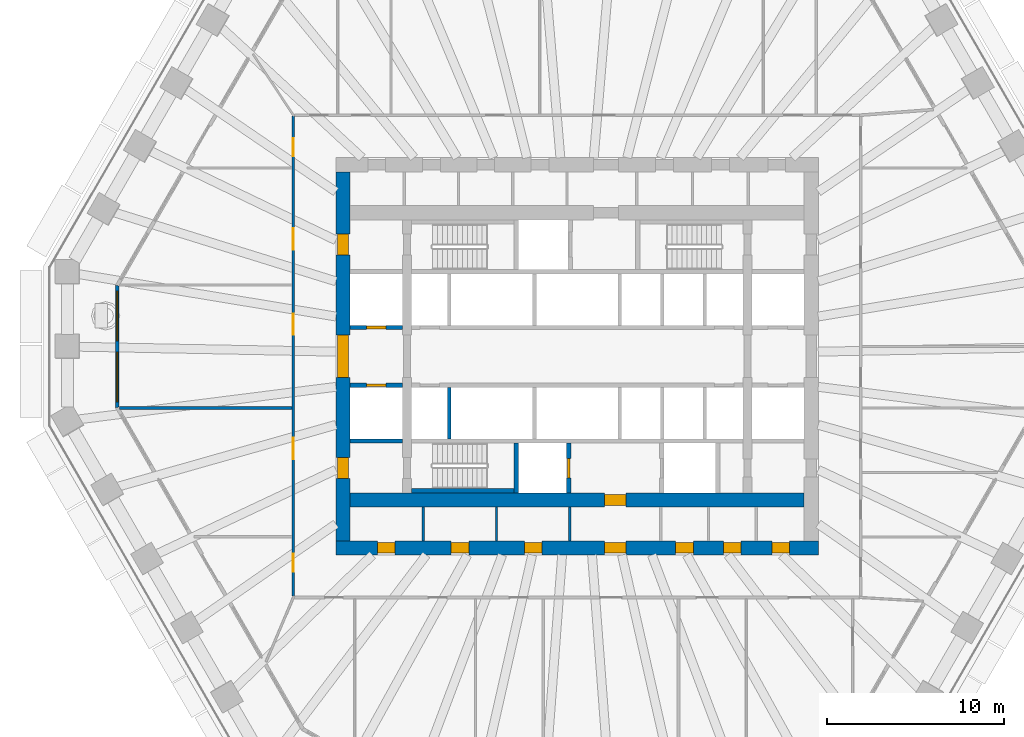
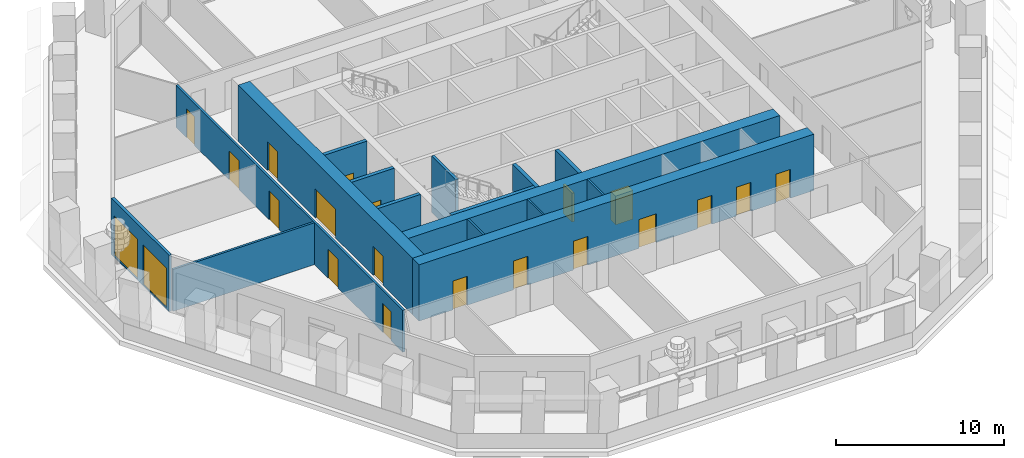
# One storey, part 4 of 13: 19 doors, 16 walls, 2 windows, 21 openings.
"""IFC4 building model written with IfcOpenShell, lengths in metres."""

from ifc_helpers import new_model, si_unit, direction, frame, frame_2d, origin, place, context, subcontext, project, spatial, polyline, rectangle, outline, extrude, material, layer, layer_set, type_object, element, fill, save


model = new_model("IFC4")

# Units and contexts
model_context = context("Model", 3, precision=1e-05, world=origin(), true_north=direction((0.0, 1.0)))
body_context = subcontext(model_context, "Body", "Model", "MODEL_VIEW")
ifc_project = project(units=[si_unit("LENGTHUNIT", "METRE"), si_unit("AREAUNIT", "SQUARE_METRE"), si_unit("VOLUMEUNIT", "CUBIC_METRE"), si_unit("PLANEANGLEUNIT", "RADIAN"), si_unit("MASSUNIT", "GRAM", prefix="KILO")], contexts=[model_context])

# Site, building, storey
site_placement = place(None, origin())
site = spatial("IfcSite", under=ifc_project, at=site_placement, CompositionType="ELEMENT")
building_placement = place(site_placement, origin())
building = spatial("IfcBuilding", under=site, at=building_placement, Name="Frailejon Research Tower", CompositionType="ELEMENT")
storey_placement = place(building_placement, frame((0.0, 0.0, 98.39990234375)))
storey = spatial("IfcBuildingStorey", under=building, at=storey_placement, Name="L21", CompositionType="ELEMENT", Elevation=98.39990234375)

# Walls
ifc_material_1 = material(Name="Plasterboard on steel studs", Category="steel")
ifc_layer_1 = layer(ifc_material_1, 0.125)
ifc_layer_set_1 = layer_set([ifc_layer_1], Name="Core partition 125")
wall_type_1 = type_object("IfcWallType", Name="Core partition 125", PredefinedType="PARTITIONING", material=ifc_layer_set_1)
for number, where, z_axis, x_axis, name in (
    (1, (-8.6708984375, -10.39990234375, 0.0), (0.0, 0.0, 1.0), (0.0, 1.0, 0.0), "Core partition"),
    (2, (-4.541748046875, -10.39990234375, 0.0), (0.0, 0.0, 1.0), (0.0, 1.0, 0.0), "Core partition"),
    (3, (-0.41259765625, -10.39990234375, 0.0), (0.0, 0.0, 1.0), (0.0, 1.0, 0.0), "Core partition"),
):
    element("IfcWall", number, at=place(storey_placement, frame(where, z_axis=z_axis, x_axis=x_axis)), inside=storey, type_object=wall_type_1, Name=name, PredefinedType="PARTITIONING", context=body_context, shape_type="SweptSolid", body=[
        extrude(rectangle(XDim=1.89990234375, YDim=0.125, at=frame_2d((0.949951171875, 0.0))), origin(), (0.0, 0.0, 1.0), 4.10009765625),
    ])

# Wall, openings, doors
ifc_material_2 = material(Name="Concrete C70/85", Category="concrete")
ifc_layer_2 = layer(ifc_material_2, 0.800048828125)
ifc_layer_set_2 = layer_set([ifc_layer_2], Name="Core shear wall 800 C70/85")
wall_type_2 = type_object("IfcWallType", Name="Core shear wall 800 C70/85", PredefinedType="SHEAR", material=ifc_layer_set_2)
wall_1_placement = place(storey_placement, frame((-13.60009765625, -10.800048828125, 0.0), z_axis=(0.0, 0.0, 1.0), x_axis=(1.0, 0.0, 0.0)))
wall_1 = element("IfcWall", 4, at=wall_1_placement, inside=storey, type_object=wall_type_2, Name="Core shear wall", PredefinedType="SHEAR", context=body_context, shape_type="SweptSolid", body=[
    extrude(rectangle(XDim=27.2001953125, YDim=0.800048828125, at=frame_2d((13.60009765625, 0.0))), origin(), (0.0, 0.0, 1.0), 4.10009765625),
])
opening_1_placement = place(wall_1_placement, frame((2.333251953125, 0.0, 0.0)))
opening_1 = element("IfcOpeningElement", 5, at=opening_1_placement, cuts=wall_1, Name="Opening D4", PredefinedType="OPENING", context=body_context, shape_type="SweptSolid", body=[
    extrude(rectangle(XDim=1.0, YDim=2.10009765625, at=frame_2d((0.5, 1.050048828125))), frame((0.0, 0.409912109375, 0.0), z_axis=(0.0, -1.0, 0.0), x_axis=(1.0, 0.0, 0.0)), (0.0, 0.0, 1.0), 0.820068359375),
])
opening_2_placement = place(wall_1_placement, frame((6.493896484375, 0.0, 0.0)))
opening_2 = element("IfcOpeningElement", 6, at=opening_2_placement, cuts=wall_1, Name="Opening D4", PredefinedType="OPENING", context=body_context, shape_type="SweptSolid", body=[
    extrude(rectangle(XDim=1.0, YDim=2.10009765625, at=frame_2d((0.5, 1.050048828125))), frame((0.0, 0.409912109375, 0.0), z_axis=(0.0, -1.0, 0.0), x_axis=(1.0, 0.0, 0.0)), (0.0, 0.0, 1.0), 0.820068359375),
])
opening_3_placement = place(wall_1_placement, frame((10.622802734375, 0.0, 0.0)))
opening_3 = element("IfcOpeningElement", 7, at=opening_3_placement, cuts=wall_1, Name="Opening D4", PredefinedType="OPENING", context=body_context, shape_type="SweptSolid", body=[
    extrude(rectangle(XDim=1.0, YDim=2.10009765625, at=frame_2d((0.5, 1.050048828125))), frame((0.0, 0.409912109375, 0.0), z_axis=(0.0, -1.0, 0.0), x_axis=(1.0, 0.0, 0.0)), (0.0, 0.0, 1.0), 0.820068359375),
])
opening_4_placement = place(wall_1_placement, frame((19.160400390625, 0.0, 0.0)))
opening_4 = element("IfcOpeningElement", 8, at=opening_4_placement, cuts=wall_1, Name="Opening D4", PredefinedType="OPENING", context=body_context, shape_type="SweptSolid", body=[
    extrude(rectangle(XDim=1.0, YDim=2.10009765625, at=frame_2d((0.5, 1.050048828125))), frame((0.0, 0.409912109375, 0.0), z_axis=(0.0, -1.0, 0.0), x_axis=(1.0, 0.0, 0.0)), (0.0, 0.0, 1.0), 0.820068359375),
])
opening_5_placement = place(wall_1_placement, frame((21.856201171875, 0.0, 0.0)))
opening_5 = element("IfcOpeningElement", 9, at=opening_5_placement, cuts=wall_1, Name="Opening D4", PredefinedType="OPENING", context=body_context, shape_type="SweptSolid", body=[
    extrude(rectangle(XDim=1.0, YDim=2.10009765625, at=frame_2d((0.5, 1.050048828125))), frame((0.0, 0.409912109375, 0.0), z_axis=(0.0, -1.0, 0.0), x_axis=(1.0, 0.0, 0.0)), (0.0, 0.0, 1.0), 0.820068359375),
])
opening_6_placement = place(wall_1_placement, frame((24.583251953125, 0.0, 0.0)))
opening_6 = element("IfcOpeningElement", 10, at=opening_6_placement, cuts=wall_1, Name="Opening D4", PredefinedType="OPENING", context=body_context, shape_type="SweptSolid", body=[
    extrude(rectangle(XDim=1.0, YDim=2.10009765625, at=frame_2d((0.5, 1.050048828125))), frame((0.0, 0.409912109375, 0.0), z_axis=(0.0, -1.0, 0.0), x_axis=(1.0, 0.0, 0.0)), (0.0, 0.0, 1.0), 0.820068359375),
])
opening_7_placement = place(wall_1_placement, frame((15.14990234375, 0.0, 0.0)))
opening_7 = element("IfcOpeningElement", 11, at=opening_7_placement, cuts=wall_1, Name="Opening D3", PredefinedType="OPENING", context=body_context, shape_type="SweptSolid", body=[
    extrude(rectangle(XDim=1.199951171875, YDim=2.10009765625, at=frame_2d((0.60009765625, 1.050048828125))), frame((0.0, 0.409912109375, 0.0), z_axis=(0.0, -1.0, 0.0), x_axis=(1.0, 0.0, 0.0)), (0.0, 0.0, 1.0), 0.820068359375),
])
ifc_material_3 = material(Name="Steel", Category="steel")
door_type_1 = type_object("IfcDoorType", Name="Firefighting lobby door", OperationType="SINGLE_SWING_LEFT", PredefinedType="DOOR", material=ifc_material_3)
door_1_placement = place(opening_7_placement, origin())
door_1 = element("IfcDoor", 12, at=door_1_placement, inside=storey, type_object=door_type_1, Name="Passage door", OperationType="SINGLE_SWING_RIGHT", OverallHeight=2.10009765625, OverallWidth=1.199951171875, PredefinedType="DOOR", context=body_context, shape_type="SweptSolid", body=[
    extrude(rectangle(XDim=1.199951171875, YDim=2.10009765625, at=frame_2d((0.60009765625, 1.050048828125))), frame((0.0, 0.300048828125, 0.0), z_axis=(0.0, -1.0, 0.0), x_axis=(1.0, 0.0, 0.0)), (0.0, 0.0, 1.0), 0.60009765625),
])
fill(opening_7, door_1)
ifc_material_4 = material(Name="Steel", Category="steel")
door_type_2 = type_object("IfcDoorType", Name="Service door", OperationType="SINGLE_SWING_LEFT", PredefinedType="DOOR", material=ifc_material_4)
door_2_placement = place(opening_1_placement, origin())
door_2 = element("IfcDoor", 13, at=door_2_placement, inside=storey, type_object=door_type_2, Name="Room door", OperationType="SINGLE_SWING_RIGHT", OverallHeight=2.10009765625, OverallWidth=1.0, PredefinedType="DOOR", context=body_context, shape_type="SweptSolid", body=[
    extrude(rectangle(XDim=1.0, YDim=2.10009765625, at=frame_2d((0.5, 1.050048828125))), frame((0.0, 0.300048828125, 0.0), z_axis=(0.0, -1.0, 0.0), x_axis=(1.0, 0.0, 0.0)), (0.0, 0.0, 1.0), 0.60009765625),
])
fill(opening_1, door_2)
door_3_placement = place(opening_2_placement, origin())
door_3 = element("IfcDoor", 14, at=door_3_placement, inside=storey, type_object=door_type_2, Name="Room door", OperationType="SINGLE_SWING_LEFT", OverallHeight=2.10009765625, OverallWidth=1.0, PredefinedType="DOOR", context=body_context, shape_type="SweptSolid", body=[
    extrude(rectangle(XDim=1.0, YDim=2.10009765625, at=frame_2d((0.5, 1.050048828125))), frame((0.0, 0.300048828125, 0.0), z_axis=(0.0, -1.0, 0.0), x_axis=(1.0, 0.0, 0.0)), (0.0, 0.0, 1.0), 0.60009765625),
])
fill(opening_2, door_3)
door_4_placement = place(opening_3_placement, origin())
door_4 = element("IfcDoor", 15, at=door_4_placement, inside=storey, type_object=door_type_2, Name="Room door", OperationType="SINGLE_SWING_RIGHT", OverallHeight=2.10009765625, OverallWidth=1.0, PredefinedType="DOOR", context=body_context, shape_type="SweptSolid", body=[
    extrude(rectangle(XDim=1.0, YDim=2.10009765625, at=frame_2d((0.5, 1.050048828125))), frame((0.0, 0.300048828125, 0.0), z_axis=(0.0, -1.0, 0.0), x_axis=(1.0, 0.0, 0.0)), (0.0, 0.0, 1.0), 0.60009765625),
])
fill(opening_3, door_4)
door_5_placement = place(opening_4_placement, origin())
door_5 = element("IfcDoor", 16, at=door_5_placement, inside=storey, type_object=door_type_2, Name="Room door", OperationType="SINGLE_SWING_LEFT", OverallHeight=2.10009765625, OverallWidth=1.0, PredefinedType="DOOR", context=body_context, shape_type="SweptSolid", body=[
    extrude(rectangle(XDim=1.0, YDim=2.10009765625, at=frame_2d((0.5, 1.050048828125))), frame((0.0, 0.300048828125, 0.0), z_axis=(0.0, -1.0, 0.0), x_axis=(1.0, 0.0, 0.0)), (0.0, 0.0, 1.0), 0.60009765625),
])
fill(opening_4, door_5)
door_6_placement = place(opening_5_placement, origin())
door_6 = element("IfcDoor", 17, at=door_6_placement, inside=storey, type_object=door_type_2, Name="Room door", OperationType="SINGLE_SWING_RIGHT", OverallHeight=2.10009765625, OverallWidth=1.0, PredefinedType="DOOR", context=body_context, shape_type="SweptSolid", body=[
    extrude(rectangle(XDim=1.0, YDim=2.10009765625, at=frame_2d((0.5, 1.050048828125))), frame((0.0, 0.300048828125, 0.0), z_axis=(0.0, -1.0, 0.0), x_axis=(1.0, 0.0, 0.0)), (0.0, 0.0, 1.0), 0.60009765625),
])
fill(opening_5, door_6)
door_7_placement = place(opening_6_placement, origin())
door_7 = element("IfcDoor", 18, at=door_7_placement, inside=storey, type_object=door_type_2, Name="Room door", OperationType="SINGLE_SWING_LEFT", OverallHeight=2.10009765625, OverallWidth=1.0, PredefinedType="DOOR", context=body_context, shape_type="SweptSolid", body=[
    extrude(rectangle(XDim=1.0, YDim=2.10009765625, at=frame_2d((0.5, 1.050048828125))), frame((0.0, 0.300048828125, 0.0), z_axis=(0.0, -1.0, 0.0), x_axis=(1.0, 0.0, 0.0)), (0.0, 0.0, 1.0), 0.60009765625),
])
fill(opening_6, door_7)

wall_2_placement = place(storey_placement, frame((-13.199951171875, -10.39990234375, 0.0), z_axis=(0.0, 0.0, 1.0), x_axis=(0.0, 1.0, 0.0)))
wall_2 = element("IfcWall", 19, at=wall_2_placement, inside=storey, type_object=wall_type_2, Name="Core shear wall", PredefinedType="SHEAR", context=body_context, shape_type="SweptSolid", body=[
    extrude(rectangle(XDim=20.7998046875, YDim=0.800048828125, at=frame_2d((10.39990234375, 0.0))), origin(), (0.0, 0.0, 1.0), 4.10009765625),
])
opening_8_placement = place(wall_2_placement, frame((9.199951171875, 0.0, 0.0)))
opening_8 = element("IfcOpeningElement", 20, at=opening_8_placement, cuts=wall_2, Name="Opening D2", PredefinedType="OPENING", context=body_context, shape_type="SweptSolid", body=[
    extrude(rectangle(XDim=2.39990234375, YDim=2.10009765625, at=frame_2d((1.199951171875, 1.050048828125))), frame((0.0, 0.409912109375, 0.0), z_axis=(0.0, -1.0, 0.0), x_axis=(1.0, 0.0, 0.0)), (0.0, 0.0, 1.0), 0.820068359375),
])
opening_9_placement = place(wall_2_placement, frame((16.10009765625, 0.0, 0.0)))
opening_9 = element("IfcOpeningElement", 21, at=opening_9_placement, cuts=wall_2, Name="Opening D7", PredefinedType="OPENING", context=body_context, shape_type="SweptSolid", body=[
    extrude(rectangle(XDim=1.199951171875, YDim=2.10009765625, at=frame_2d((0.60009765625, 1.050048828125))), frame((0.0, 0.409912109375, 0.0), z_axis=(0.0, -1.0, 0.0), x_axis=(1.0, 0.0, 0.0)), (0.0, 0.0, 1.0), 0.820068359375),
])
opening_10_placement = place(wall_2_placement, frame((3.5, 0.0, 0.0)))
opening_10 = element("IfcOpeningElement", 22, at=opening_10_placement, cuts=wall_2, Name="Opening D7", PredefinedType="OPENING", context=body_context, shape_type="SweptSolid", body=[
    extrude(rectangle(XDim=1.199951171875, YDim=2.10009765625, at=frame_2d((0.60009765625, 1.050048828125))), frame((0.0, 0.409912109375, 0.0), z_axis=(0.0, -1.0, 0.0), x_axis=(1.0, 0.0, 0.0)), (0.0, 0.0, 1.0), 0.820068359375),
])
ifc_material_5 = material(Name="Steel", Category="steel")
door_type_3 = type_object("IfcDoorType", Name="Lobby double door", OperationType="DOUBLE_DOOR_SINGLE_SWING", PredefinedType="DOOR", material=ifc_material_5)
door_8_placement = place(opening_8_placement, origin())
door_8 = element("IfcDoor", 23, at=door_8_placement, inside=storey, type_object=door_type_3, Name="Lobby door", OperationType="DOUBLE_DOOR_SINGLE_SWING", OverallHeight=2.10009765625, OverallWidth=2.39990234375, PredefinedType="DOOR", context=body_context, shape_type="SweptSolid", body=[
    extrude(rectangle(XDim=2.39990234375, YDim=2.10009765625, at=frame_2d((1.199951171875, 1.050048828125))), frame((0.0, 0.300048828125, 0.0), z_axis=(0.0, -1.0, 0.0), x_axis=(1.0, 0.0, 0.0)), (0.0, 0.0, 1.0), 0.60009765625),
])
fill(opening_8, door_8)
ifc_material_6 = material(Name="Steel", Category="steel")
door_type_4 = type_object("IfcDoorType", Name="Stair exit door", OperationType="SINGLE_SWING_LEFT", PredefinedType="DOOR", material=ifc_material_6)
door_9_placement = place(opening_9_placement, origin())
door_9 = element("IfcDoor", 24, at=door_9_placement, inside=storey, type_object=door_type_4, Name="Stair exit door ST1", OperationType="SINGLE_SWING_LEFT", OverallHeight=2.10009765625, OverallWidth=1.199951171875, PredefinedType="DOOR", context=body_context, shape_type="SweptSolid", body=[
    extrude(rectangle(XDim=1.199951171875, YDim=2.10009765625, at=frame_2d((0.60009765625, 1.050048828125))), frame((0.0, 0.300048828125, 0.0), z_axis=(0.0, -1.0, 0.0), x_axis=(1.0, 0.0, 0.0)), (0.0, 0.0, 1.0), 0.60009765625),
])
fill(opening_9, door_9)
door_10_placement = place(opening_10_placement, origin())
door_10 = element("IfcDoor", 25, at=door_10_placement, inside=storey, type_object=door_type_4, Name="Stair exit door ST2", OperationType="SINGLE_SWING_LEFT", OverallHeight=2.10009765625, OverallWidth=1.199951171875, PredefinedType="DOOR", context=body_context, shape_type="SweptSolid", body=[
    extrude(rectangle(XDim=1.199951171875, YDim=2.10009765625, at=frame_2d((0.60009765625, 1.050048828125))), frame((0.0, 0.300048828125, 0.0), z_axis=(0.0, -1.0, 0.0), x_axis=(1.0, 0.0, 0.0)), (0.0, 0.0, 1.0), 0.60009765625),
])
fill(opening_10, door_10)

# Wall, opening, door
wall_3_placement = place(storey_placement, frame((-12.800048828125, -8.10009765625, 0.0), z_axis=(0.0, 0.0, 1.0), x_axis=(1.0, 0.0, 0.0)))
wall_3 = element("IfcWall", 26, at=wall_3_placement, inside=storey, type_object=wall_type_2, Name="Core shear wall", PredefinedType="SHEAR", context=body_context, shape_type="SweptSolid", body=[
    extrude(rectangle(XDim=25.60009765625, YDim=0.800048828125, at=frame_2d((12.800048828125, 0.0))), origin(), (0.0, 0.0, 1.0), 4.10009765625),
])
opening_11_placement = place(wall_3_placement, frame((14.35009765625, 0.0, 0.0)))
opening_11 = element("IfcOpeningElement", 27, at=opening_11_placement, cuts=wall_3, Name="Opening D3", PredefinedType="OPENING", context=body_context, shape_type="SweptSolid", body=[
    extrude(rectangle(XDim=1.199951171875, YDim=2.10009765625, at=frame_2d((0.60009765625, 1.050048828125))), frame((0.0, 0.409912109375, 0.0), z_axis=(0.0, -1.0, 0.0), x_axis=(1.0, 0.0, 0.0)), (0.0, 0.0, 1.0), 0.820068359375),
])
door_11_placement = place(opening_11_placement, origin())
door_11 = element("IfcDoor", 28, at=door_11_placement, inside=storey, type_object=door_type_1, Name="Firefighting lobby door", OperationType="SINGLE_SWING_RIGHT", OverallHeight=2.10009765625, OverallWidth=1.199951171875, PredefinedType="DOOR", context=body_context, shape_type="SweptSolid", body=[
    extrude(rectangle(XDim=1.199951171875, YDim=2.10009765625, at=frame_2d((0.60009765625, 1.050048828125))), frame((0.0, 0.300048828125, 0.0), z_axis=(0.0, -1.0, 0.0), x_axis=(1.0, 0.0, 0.0)), (0.0, 0.0, 1.0), 0.60009765625),
])
fill(opening_11, door_11)

# Wall, openings, doors
ifc_material_7 = material(Name="Gypsum board and masonry partition", Category="masonry")
ifc_layer_3 = layer(ifc_material_7, 0.14990234375)
ifc_layer_set_3 = layer_set([ifc_layer_3], Name="Corridor wall EI 60, gypsum on steel studs 150")
wall_type_3 = type_object("IfcWallType", Name="Corridor wall EI 60, gypsum on steel studs 150", PredefinedType="PARTITIONING", material=ifc_layer_set_3)
wall_4_placement = place(storey_placement, frame((-16.0, -13.52490234375, 0.0), z_axis=(0.0, 0.0, 1.0), x_axis=(0.0, 1.0, 0.0)))
wall_4 = element("IfcWall", 29, at=wall_4_placement, inside=storey, type_object=wall_type_3, Name="T:IW:L21:003", PredefinedType="PARTITIONING", context=body_context, shape_type="SweptSolid", body=[
    extrude(rectangle(XDim=27.074951171875, YDim=0.14990234375, at=frame_2d((13.53759765625, 0.0))), origin(), (0.0, 0.0, 1.0), 3.050048828125),
])
opening_12_placement = place(wall_4_placement, frame((24.818603515625, 0.0, 0.0)))
opening_12 = element("IfcOpeningElement", 30, at=opening_12_placement, cuts=wall_4, Name="Opening D1559", PredefinedType="OPENING", context=body_context, shape_type="SweptSolid", body=[
    extrude(rectangle(XDim=1.0, YDim=2.10009765625, at=frame_2d((0.5, 1.050048828125))), frame((0.0, 0.0849609375, 0.0), z_axis=(0.0, -1.0, 0.0), x_axis=(1.0, 0.0, 0.0)), (0.0, 0.0, 1.0), 0.169921875),
])
opening_13_placement = place(wall_4_placement, frame((19.539794921875, 0.0, 0.0)))
opening_13 = element("IfcOpeningElement", 31, at=opening_13_placement, cuts=wall_4, Name="Opening D1560", PredefinedType="OPENING", context=body_context, shape_type="SweptSolid", body=[
    extrude(rectangle(XDim=1.199951171875, YDim=2.10009765625, at=frame_2d((0.60009765625, 1.050048828125))), frame((0.0, 0.0849609375, 0.0), z_axis=(0.0, -1.0, 0.0), x_axis=(1.0, 0.0, 0.0)), (0.0, 0.0, 1.0), 0.169921875),
])
opening_14_placement = place(wall_4_placement, frame((14.735107421875, 0.0, 0.0)))
opening_14 = element("IfcOpeningElement", 32, at=opening_14_placement, cuts=wall_4, Name="Opening D1561", PredefinedType="OPENING", context=body_context, shape_type="SweptSolid", body=[
    extrude(rectangle(XDim=1.199951171875, YDim=2.10009765625, at=frame_2d((0.60009765625, 1.050048828125))), frame((0.0, 0.0849609375, 0.0), z_axis=(0.0, -1.0, 0.0), x_axis=(1.0, 0.0, 0.0)), (0.0, 0.0, 1.0), 0.169921875),
])
opening_15_placement = place(wall_4_placement, frame((7.72119140625, 0.0, 0.0)))
opening_15 = element("IfcOpeningElement", 33, at=opening_15_placement, cuts=wall_4, Name="Opening D1562", PredefinedType="OPENING", context=body_context, shape_type="SweptSolid", body=[
    extrude(rectangle(XDim=1.199951171875, YDim=2.10009765625, at=frame_2d((0.60009765625, 1.050048828125))), frame((0.0, 0.0849609375, 0.0), z_axis=(0.0, -1.0, 0.0), x_axis=(1.0, 0.0, 0.0)), (0.0, 0.0, 1.0), 0.169921875),
])
opening_16_placement = place(wall_4_placement, frame((1.3916015625, 0.0, 0.0)))
opening_16 = element("IfcOpeningElement", 34, at=opening_16_placement, cuts=wall_4, Name="Opening D1563", PredefinedType="OPENING", context=body_context, shape_type="SweptSolid", body=[
    extrude(rectangle(XDim=1.0, YDim=2.10009765625, at=frame_2d((0.5, 1.050048828125))), frame((0.0, 0.0849609375, 0.0), z_axis=(0.0, -1.0, 0.0), x_axis=(1.0, 0.0, 0.0)), (0.0, 0.0, 1.0), 0.169921875),
])
ifc_material_8 = material(Name="Timber door leaf", Category="wood")
door_type_5 = type_object("IfcDoorType", Name="Door laboratory, timber, vision panel 1200", OperationType="NOTDEFINED", PredefinedType="DOOR", material=ifc_material_8)
door_12_placement = place(opening_15_placement, origin())
door_12 = element("IfcDoor", 35, at=door_12_placement, inside=storey, type_object=door_type_5, Name="D1562", OperationType="DOUBLE_DOOR_SINGLE_SWING", OverallHeight=2.10009765625, OverallWidth=1.199951171875, PredefinedType="DOOR", context=body_context, shape_type="SweptSolid", body=[
    extrude(rectangle(XDim=1.199951171875, YDim=2.10009765625, at=frame_2d((0.60009765625, 1.050048828125))), frame((0.0, 0.02490234375, 0.0), z_axis=(0.0, -1.0, 0.0), x_axis=(1.0, 0.0, 0.0)), (0.0, 0.0, 1.0), 0.050048828125),
])
fill(opening_15, door_12)
ifc_material_9 = material(Name="Timber door leaf", Category="wood")
door_type_6 = type_object("IfcDoorType", Name="Door single leaf, timber, steel frame 1000", OperationType="NOTDEFINED", PredefinedType="DOOR", material=ifc_material_9)
door_13_placement = place(opening_12_placement, origin())
door_13 = element("IfcDoor", 36, at=door_13_placement, inside=storey, type_object=door_type_6, Name="D1559", OperationType="SINGLE_SWING_RIGHT", OverallHeight=2.10009765625, OverallWidth=1.0, PredefinedType="DOOR", context=body_context, shape_type="SweptSolid", body=[
    extrude(rectangle(XDim=1.0, YDim=2.10009765625, at=frame_2d((0.5, 1.050048828125))), frame((0.0, 0.02490234375, 0.0), z_axis=(0.0, -1.0, 0.0), x_axis=(1.0, 0.0, 0.0)), (0.0, 0.0, 1.0), 0.050048828125),
])
fill(opening_12, door_13)
door_14_placement = place(opening_16_placement, origin())
door_14 = element("IfcDoor", 37, at=door_14_placement, inside=storey, type_object=door_type_6, Name="D1563", OperationType="SINGLE_SWING_LEFT", OverallHeight=2.10009765625, OverallWidth=1.0, PredefinedType="DOOR", context=body_context, shape_type="SweptSolid", body=[
    extrude(rectangle(XDim=1.0, YDim=2.10009765625, at=frame_2d((0.5, 1.050048828125))), frame((0.0, 0.02490234375, 0.0), z_axis=(0.0, -1.0, 0.0), x_axis=(1.0, 0.0, 0.0)), (0.0, 0.0, 1.0), 0.050048828125),
])
fill(opening_16, door_14)
ifc_material_10 = material(Name="Timber door leaf", Category="wood")
door_type_7 = type_object("IfcDoorType", Name="Door single leaf, timber, steel frame 1200", OperationType="NOTDEFINED", PredefinedType="DOOR", material=ifc_material_10)
door_15_placement = place(opening_13_placement, origin())
door_15 = element("IfcDoor", 38, at=door_15_placement, inside=storey, type_object=door_type_7, Name="D1560", OperationType="DOUBLE_DOOR_SINGLE_SWING", OverallHeight=2.10009765625, OverallWidth=1.199951171875, PredefinedType="DOOR", context=body_context, shape_type="SweptSolid", body=[
    extrude(rectangle(XDim=1.199951171875, YDim=2.10009765625, at=frame_2d((0.60009765625, 1.050048828125))), frame((0.0, 0.02490234375, 0.0), z_axis=(0.0, -1.0, 0.0), x_axis=(1.0, 0.0, 0.0)), (0.0, 0.0, 1.0), 0.050048828125),
])
fill(opening_13, door_15)
door_16_placement = place(opening_14_placement, origin())
door_16 = element("IfcDoor", 39, at=door_16_placement, inside=storey, type_object=door_type_7, Name="D1561", OperationType="DOUBLE_DOOR_SINGLE_SWING", OverallHeight=2.10009765625, OverallWidth=1.199951171875, PredefinedType="DOOR", context=body_context, shape_type="SweptSolid", body=[
    extrude(rectangle(XDim=1.199951171875, YDim=2.10009765625, at=frame_2d((0.60009765625, 1.050048828125))), frame((0.0, 0.02490234375, 0.0), z_axis=(0.0, -1.0, 0.0), x_axis=(1.0, 0.0, 0.0)), (0.0, 0.0, 1.0), 0.050048828125),
])
fill(opening_14, door_16)

# Walls
ifc_material_11 = material(Name="Gypsum board and masonry partition", Category="masonry")
ifc_layer_4 = layer(ifc_material_11, 0.14990234375)
ifc_layer_set_4 = layer_set([ifc_layer_4], Name="Laboratory partition, blockwork 150")
wall_type_4 = type_object("IfcWallType", Name="Laboratory partition, blockwork 150", PredefinedType="PARTITIONING", material=ifc_layer_set_4)
wall_5_placement = place(storey_placement, frame((-25.80126953125, -2.910888671875, 0.0), z_axis=(0.0, 0.0, 1.0), x_axis=(1.0, 0.0, 0.0)))
element("IfcWall", 40, at=wall_5_placement, inside=storey, type_object=wall_type_4, Name="T:IW:L21:007", PredefinedType="PARTITIONING", context=body_context, shape_type="SweptSolid", body=[
    extrude(rectangle(XDim=9.726318359375, YDim=0.14990234375, at=frame_2d((4.86328125, 0.0))), origin(), (0.0, 0.0, 1.0), 3.050048828125),
])
ifc_material_12 = material(Name="Concrete C70/85", Category="concrete")
ifc_layer_5 = layer(ifc_material_12, 0.199951171875)
ifc_layer_set_5 = layer_set([ifc_layer_5], Name="Shaft wall 200 C70/85")
wall_type_5 = type_object("IfcWallType", Name="Shaft wall 200 C70/85", PredefinedType="SOLIDWALL", material=ifc_layer_set_5)
wall_6_placement = place(storey_placement, frame((-7.199951171875, -4.64990234375, 0.0), z_axis=(0.0, 0.0, 1.0), x_axis=(0.0, 1.0, 0.0)))
element("IfcWall", 41, at=wall_6_placement, inside=storey, type_object=wall_type_5, Name="Shaft wall", PredefinedType="SOLIDWALL", context=body_context, shape_type="SweptSolid", body=[
    extrude(rectangle(XDim=2.89990234375, YDim=0.199951171875, at=frame_2d((1.449951171875, 0.0))), origin(), (0.0, 0.0, 1.0), 4.10009765625),
])

# Wall, opening, door
ifc_material_13 = material(Name="Concrete C70/85", Category="concrete")
ifc_layer_6 = layer(ifc_material_13, 0.25)
ifc_layer_set_6 = layer_set([ifc_layer_6], Name="Shaft wall 250 C70/85")
wall_type_6 = type_object("IfcWallType", Name="Shaft wall 250 C70/85", PredefinedType="SOLIDWALL", material=ifc_layer_set_6)
wall_7_placement = place(storey_placement, frame((-12.800048828125, 1.625, 0.0), z_axis=(0.0, 0.0, 1.0), x_axis=(1.0, 0.0, 0.0)))
wall_7 = element("IfcWall", 42, at=wall_7_placement, inside=storey, type_object=wall_type_6, Name="Shaft wall", PredefinedType="SOLIDWALL", context=body_context, shape_type="SweptSolid", body=[
    extrude(rectangle(XDim=2.949951171875, YDim=0.25, at=frame_2d((1.47509765625, 0.0))), origin(), (0.0, 0.0, 1.0), 4.10009765625),
])
opening_17_placement = place(wall_7_placement, frame((0.925048828125, 0.0, 0.0)))
opening_17 = element("IfcOpeningElement", 43, at=opening_17_placement, cuts=wall_7, Name="Opening LD", PredefinedType="OPENING", context=body_context, shape_type="SweptSolid", body=[
    extrude(rectangle(XDim=1.10009765625, YDim=2.10009765625, at=frame_2d((0.550048828125, 1.050048828125))), frame((0.0, 0.135009765625, 0.0), z_axis=(0.0, -1.0, 0.0), x_axis=(1.0, 0.0, 0.0)), (0.0, 0.0, 1.0), 0.27001953125),
])
ifc_material_14 = material(Name="Steel", Category="steel")
door_type_8 = type_object("IfcDoorType", Name="Lift landing door", OperationType="DOUBLE_DOOR_SLIDING", PredefinedType="DOOR", material=ifc_material_14)
door_17_placement = place(opening_17_placement, origin())
door_17 = element("IfcDoor", 44, at=door_17_placement, inside=storey, type_object=door_type_8, Name="Lift landing door", OperationType="DOUBLE_DOOR_SLIDING", OverallHeight=2.10009765625, OverallWidth=1.10009765625, PredefinedType="DOOR", context=body_context, shape_type="SweptSolid", body=[
    extrude(rectangle(XDim=1.10009765625, YDim=2.10009765625, at=frame_2d((0.550048828125, 1.050048828125))), frame((0.0, 0.074951171875, 0.0), z_axis=(0.0, -1.0, 0.0), x_axis=(1.0, 0.0, 0.0)), (0.0, 0.0, 1.0), 0.14990234375),
])
fill(opening_17, door_17)

wall_8_placement = place(storey_placement, frame((-12.800048828125, -1.625, 0.0), z_axis=(0.0, 0.0, 1.0), x_axis=(1.0, 0.0, 0.0)))
wall_8 = element("IfcWall", 45, at=wall_8_placement, inside=storey, type_object=wall_type_6, Name="Shaft wall", PredefinedType="SOLIDWALL", context=body_context, shape_type="SweptSolid", body=[
    extrude(rectangle(XDim=2.949951171875, YDim=0.25, at=frame_2d((1.47509765625, 0.0))), origin(), (0.0, 0.0, 1.0), 4.10009765625),
])
opening_18_placement = place(wall_8_placement, frame((0.925048828125, 0.0, 0.0)))
opening_18 = element("IfcOpeningElement", 46, at=opening_18_placement, cuts=wall_8, Name="Opening LD", PredefinedType="OPENING", context=body_context, shape_type="SweptSolid", body=[
    extrude(rectangle(XDim=1.10009765625, YDim=2.10009765625, at=frame_2d((0.550048828125, 1.050048828125))), frame((0.0, 0.135009765625, 0.0), z_axis=(0.0, -1.0, 0.0), x_axis=(1.0, 0.0, 0.0)), (0.0, 0.0, 1.0), 0.27001953125),
])
door_18_placement = place(opening_18_placement, origin())
door_18 = element("IfcDoor", 47, at=door_18_placement, inside=storey, type_object=door_type_8, Name="Lift landing door", OperationType="DOUBLE_DOOR_SLIDING", OverallHeight=2.10009765625, OverallWidth=1.10009765625, PredefinedType="DOOR", context=body_context, shape_type="SweptSolid", body=[
    extrude(rectangle(XDim=1.10009765625, YDim=2.10009765625, at=frame_2d((0.550048828125, 1.050048828125))), frame((0.0, 0.074951171875, 0.0), z_axis=(0.0, -1.0, 0.0), x_axis=(1.0, 0.0, 0.0)), (0.0, 0.0, 1.0), 0.14990234375),
])
fill(opening_18, door_18)

# Walls
wall_9_placement = place(storey_placement, frame((-12.800048828125, -4.77490234375, 0.0), z_axis=(0.0, 0.0, 1.0), x_axis=(1.0, 0.0, 0.0)))
element("IfcWall", 48, at=wall_9_placement, inside=storey, type_object=wall_type_6, Name="Shaft wall", PredefinedType="SOLIDWALL", context=body_context, shape_type="SweptSolid", body=[
    extrude(rectangle(XDim=2.949951171875, YDim=0.25, at=frame_2d((1.47509765625, 0.0))), origin(), (0.0, 0.0, 1.0), 4.10009765625),
])
wall_10_placement = place(storey_placement, frame((-9.35009765625, -7.574951171875, 0.0), z_axis=(0.0, 0.0, 1.0), x_axis=(1.0, 0.0, 0.0)))
element("IfcWall", 49, at=wall_10_placement, inside=storey, type_object=wall_type_6, Name="Shaft wall", PredefinedType="SOLIDWALL", context=body_context, shape_type="SweptSolid", body=[
    extrude(rectangle(XDim=5.800048828125, YDim=0.25, at=frame_2d((2.89990234375, 0.0))), origin(), (0.0, 0.0, 1.0), 4.10009765625),
])
wall_11_placement = place(storey_placement, frame((-3.425048828125, -7.699951171875, 0.0), z_axis=(0.0, 0.0, 1.0), x_axis=(0.0, 1.0, 0.0)))
element("IfcWall", 50, at=wall_11_placement, inside=storey, type_object=wall_type_6, Name="Shaft wall", PredefinedType="SOLIDWALL", context=body_context, shape_type="SweptSolid", body=[
    extrude(rectangle(XDim=2.800048828125, YDim=0.25, at=frame_2d((1.39990234375, 0.0))), origin(), (0.0, 0.0, 1.0), 4.10009765625),
])

# Wall, opening, door
wall_12_placement = place(storey_placement, frame((-0.47509765625, -7.699951171875, 0.0), z_axis=(0.0, 0.0, 1.0), x_axis=(0.0, 1.0, 0.0)))
wall_12 = element("IfcWall", 51, at=wall_12_placement, inside=storey, type_object=wall_type_6, Name="Shaft wall", PredefinedType="SOLIDWALL", context=body_context, shape_type="SweptSolid", body=[
    extrude(rectangle(XDim=2.800048828125, YDim=0.25, at=frame_2d((1.39990234375, 0.0))), origin(), (0.0, 0.0, 1.0), 4.10009765625),
])
opening_19_placement = place(wall_12_placement, frame((0.85009765625, 0.0, 0.0)))
opening_19 = element("IfcOpeningElement", 52, at=opening_19_placement, cuts=wall_12, Name="Opening LD", PredefinedType="OPENING", context=body_context, shape_type="SweptSolid", body=[
    extrude(rectangle(XDim=1.10009765625, YDim=2.10009765625, at=frame_2d((0.550048828125, 1.050048828125))), frame((0.0, 0.135009765625, 0.0), z_axis=(0.0, -1.0, 0.0), x_axis=(1.0, 0.0, 0.0)), (0.0, 0.0, 1.0), 0.27001953125),
])
door_19_placement = place(opening_19_placement, origin())
door_19 = element("IfcDoor", 53, at=door_19_placement, inside=storey, type_object=door_type_8, Name="Lift landing door", OperationType="DOUBLE_DOOR_SLIDING", OverallHeight=2.10009765625, OverallWidth=1.10009765625, PredefinedType="DOOR", context=body_context, shape_type="SweptSolid", body=[
    extrude(rectangle(XDim=1.10009765625, YDim=2.10009765625, at=frame_2d((0.550048828125, 1.050048828125))), frame((0.0, 0.074951171875, 0.0), z_axis=(0.0, -1.0, 0.0), x_axis=(1.0, 0.0, 0.0)), (0.0, 0.0, 1.0), 0.14990234375),
])
fill(opening_19, door_19)

# Wall, openings, windows
ifc_material_15 = material(Name="Concrete C40/50 precast window wall panel", Category="concrete")
ifc_layer_7 = layer(ifc_material_15, 0.199951171875)
ifc_layer_set_7 = layer_set([ifc_layer_7], Name="Window wall 200")
wall_type_7 = type_object("IfcWallType", Name="Window wall 200", PredefinedType="SOLIDWALL", material=ifc_layer_set_7)
wall_13_placement = place(storey_placement, frame((-25.93212890625, 3.990478515625, 0.0), z_axis=(0.0, 0.0, 1.0), x_axis=(0.0, -1.0, 0.0)))
wall_13 = element("IfcWall", 54, at=wall_13_placement, inside=storey, type_object=wall_type_7, Name="Exterior wall L21", PredefinedType="SOLIDWALL", context=body_context, shape_type="SweptSolid", body=[
    extrude(outline(polyline([(-0.02685546875, -0.10009765625), (1.1279296875, -0.10009765625), (2.28271484375, -0.10009765625), (3.4375, -0.10009765625), (4.592041015625, -0.10009765625), (5.746826171875, -0.10009765625), (6.901611328125, -0.10009765625), (6.847900390625, 0.10009765625), (5.7109375, 0.10009765625), (4.57421875, 0.10009765625), (3.4375, 0.10009765625), (2.300537109375, 0.10009765625), (1.16357421875, 0.10009765625), (0.02685546875, 0.10009765625), (-0.02685546875, -0.10009765625)])), origin(), (0.0, 0.0, 1.0), 4.10009765625),
])
opening_20_placement = place(wall_13_placement, frame((0.318603515625, 0.0, 0.10009765625)))
opening_20 = element("IfcOpeningElement", 55, at=opening_20_placement, cuts=wall_13, Name="Opening W3", PredefinedType="OPENING", context=body_context, shape_type="SweptSolid", body=[
    extrude(rectangle(XDim=2.800048828125, YDim=2.89990234375, at=frame_2d((1.39990234375, 1.449951171875))), frame((0.0, 0.10986328125, 0.0), z_axis=(0.0, -1.0, 0.0), x_axis=(1.0, 0.0, 0.0)), (0.0, 0.0, 1.0), 0.219970703125),
])
opening_21_placement = place(wall_13_placement, frame((3.756103515625, 0.0, 0.10009765625)))
opening_21 = element("IfcOpeningElement", 56, at=opening_21_placement, cuts=wall_13, Name="Opening W3", PredefinedType="OPENING", context=body_context, shape_type="SweptSolid", body=[
    extrude(rectangle(XDim=2.800048828125, YDim=2.89990234375, at=frame_2d((1.39990234375, 1.449951171875))), frame((0.0, 0.10986328125, 0.0), z_axis=(0.0, -1.0, 0.0), x_axis=(1.0, 0.0, 0.0)), (0.0, 0.0, 1.0), 0.219970703125),
])
ifc_material_16 = material(Name="Aluminium framed double glazing", Category="aluminium")
window_type = type_object("IfcWindowType", Name="Window 2800x2900", PartitioningType="SINGLE_PANEL", PredefinedType="WINDOW", material=ifc_material_16)
window_1_placement = place(opening_20_placement, origin())
window_1 = element("IfcWindow", 57, at=window_1_placement, inside=storey, type_object=window_type, Name="Window L21", OverallHeight=2.89990234375, OverallWidth=2.800048828125, PartitioningType="SINGLE_PANEL", PredefinedType="WINDOW", context=body_context, shape_type="SweptSolid", body=[
    extrude(rectangle(XDim=2.800048828125, YDim=2.89990234375, at=frame_2d((1.39990234375, 1.449951171875))), frame((0.0, 0.030029296875, 0.0), z_axis=(0.0, -1.0, 0.0), x_axis=(1.0, 0.0, 0.0)), (0.0, 0.0, 1.0), 0.06005859375),
])
fill(opening_20, window_1)
window_2_placement = place(opening_21_placement, origin())
window_2 = element("IfcWindow", 58, at=window_2_placement, inside=storey, type_object=window_type, Name="Window L21", OverallHeight=2.89990234375, OverallWidth=2.800048828125, PartitioningType="SINGLE_PANEL", PredefinedType="WINDOW", context=body_context, shape_type="SweptSolid", body=[
    extrude(rectangle(XDim=2.800048828125, YDim=2.89990234375, at=frame_2d((1.39990234375, 1.449951171875))), frame((0.0, 0.030029296875, 0.0), z_axis=(0.0, -1.0, 0.0), x_axis=(1.0, 0.0, 0.0)), (0.0, 0.0, 1.0), 0.06005859375),
])
fill(opening_21, window_2)

save(model, "model.ifc")
